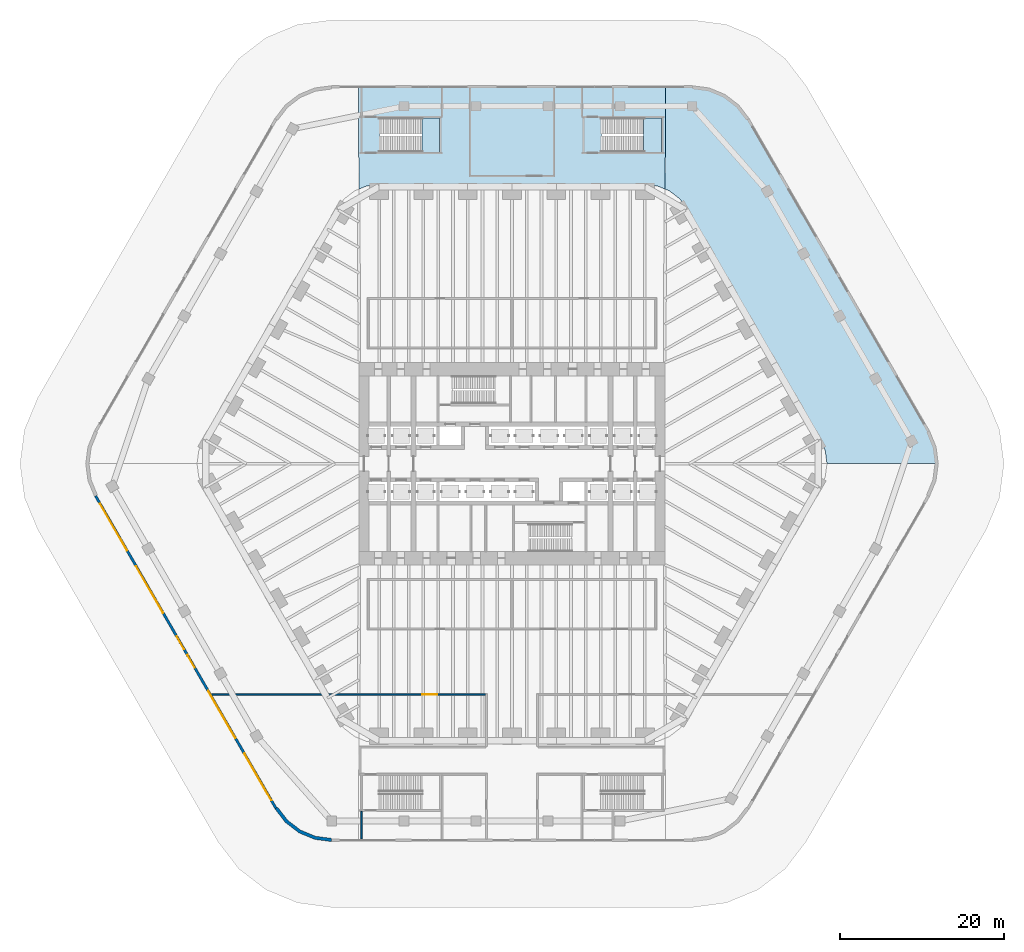
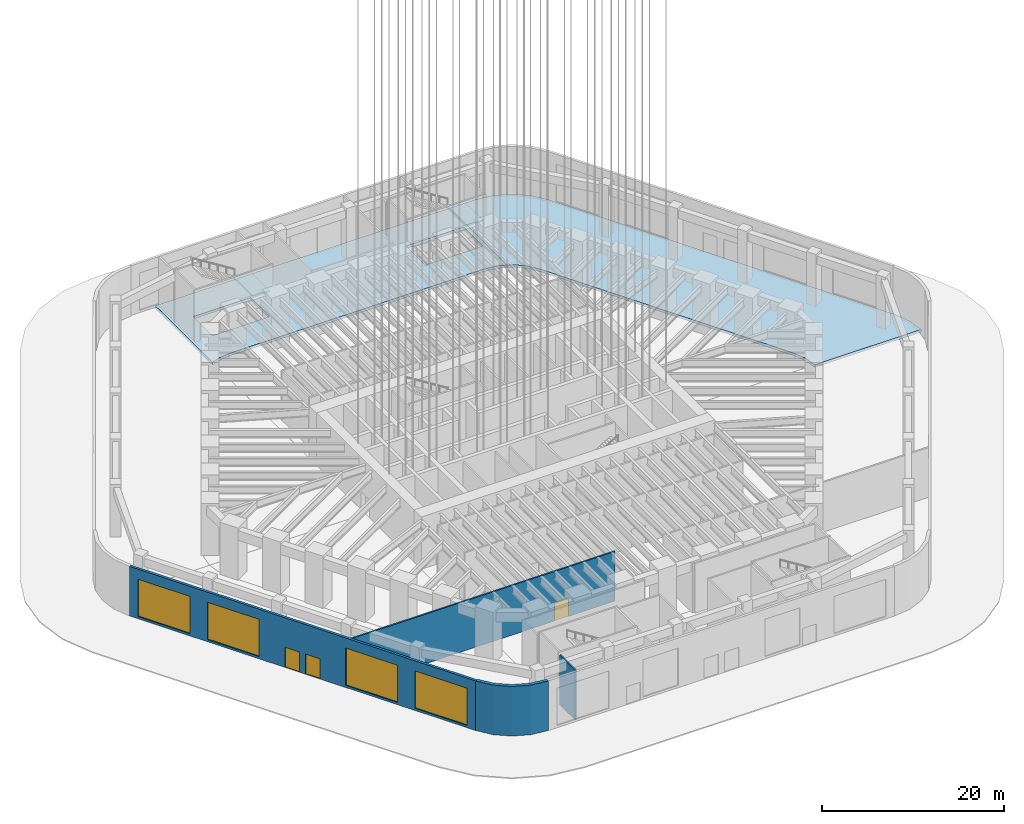
# One storey, part 4 of 23: 4 slabs, 4 walls, 4 windows, 3 doors, 7 openings, 2 elements without a shape of their own.
"""IFC4 building model written with IfcOpenShell, lengths in metres."""

from ifc_helpers import new_model, si_unit, direction, frame, frame_2d, origin, place, context, subcontext, project, spatial, polyline, rectangle, outline, extrude, material, layer, layer_set, type_object, element, fill, aggregate, save


model = new_model("IFC4")

# Units and contexts
model_context = context("Model", 3, precision=1e-05, world=origin(), true_north=direction((0.0, 1.0)))
body_context = subcontext(model_context, "Body", "Model", "MODEL_VIEW")
ifc_project = project(units=[si_unit("LENGTHUNIT", "METRE"), si_unit("AREAUNIT", "SQUARE_METRE"), si_unit("VOLUMEUNIT", "CUBIC_METRE"), si_unit("PLANEANGLEUNIT", "RADIAN"), si_unit("MASSUNIT", "GRAM", prefix="KILO")], contexts=[model_context])

# Site, building, storey
site_placement = place(None, origin())
site = spatial("IfcSite", under=ifc_project, at=site_placement, CompositionType="ELEMENT")
building_placement = place(site_placement, origin())
building = spatial("IfcBuilding", under=site, at=building_placement, Name="Tarfa Lantern Tower", CompositionType="ELEMENT")
storey_placement = place(building_placement, origin())
storey = spatial("IfcBuildingStorey", under=building, at=storey_placement, Name="L00", CompositionType="ELEMENT", Elevation=0.0)

# Slabs
ifc_material_1 = material(Name="Concrete C40/50", Category="concrete")
ifc_layer_1 = layer(ifc_material_1, 0.35009765625)
ifc_layer_set_1 = layer_set([ifc_layer_1], Name="FS3 FLOOR SLAB 350")
slab_type_1 = type_object("IfcSlabType", Name="FS3 FLOOR SLAB 350", PredefinedType="FLOOR", material=ifc_layer_set_1)
slab_1_placement = place(storey_placement, frame((0.0, 0.0, -0.35009765625)))
element("IfcSlab", 1, at=slab_1_placement, inside=storey, type_object=slab_type_1, Name="Floor slab L00 podium-NE bay", PredefinedType="FLOOR", context=body_context, shape_type="SweptSolid", body=[
    extrude(outline(polyline([(50.804931640625, 3.9990234375), (28.865966796875, 41.998779296875), (27.5947265625, 43.655517578125), (25.938232421875, 44.926513671875), (24.00927734375, 45.725341796875), (21.939208984375, 45.998046875), (18.673828125, 45.998046875), (18.64697265625, 33.4130859375), (19.166748046875, 33.197998046875), (20.409912109375, 32.244140625), (21.363525390625, 31.001220703125), (37.529541015625, 3.0009765625), (38.129150390625, 1.553466796875), (38.333251953125, 0.001953125), (51.876220703125, 0.001953125), (51.60400390625, 2.070068359375), (50.804931640625, 3.9990234375)])), origin(), (0.0, 0.0, 1.0), 0.35009765625),
])
slab_2_placement = place(storey_placement, frame((0.0, 0.0, -0.35009765625)))
element("IfcSlab", 2, at=slab_2_placement, inside=storey, type_object=slab_type_1, Name="Floor slab L00 podium-N bay", PredefinedType="FLOOR", context=body_context, shape_type="SweptSolid", body=[
    extrude(outline(polyline([(-18.64306640625, 33.414794921875), (-17.71923828125, 33.797607421875), (-16.166015625, 34.001953125), (16.166015625, 34.001953125), (17.71923828125, 33.797607421875), (18.64306640625, 33.414794921875), (18.669921875, 45.998046875), (-18.669921875, 45.998046875), (-18.64306640625, 33.414794921875)]), holes=[polyline([(10.89990234375, 37.89990234375), (18.199951171875, 37.89990234375), (18.199951171875, 42.10009765625), (10.89990234375, 42.10009765625), (10.89990234375, 37.89990234375)]), polyline([(-16.10009765625, 37.89990234375), (-8.800048828125, 37.89990234375), (-8.800048828125, 42.10009765625), (-16.10009765625, 42.10009765625), (-16.10009765625, 37.89990234375)])]), origin(), (0.0, 0.0, 1.0), 0.35009765625),
])

# Stair, slab
stair_type = type_object("IfcStairType", Name="ST-T4 HALF-TURN STAIR 7000 RISE", PredefinedType="HALF_TURN_STAIR", material=ifc_material_1)
stair_1_placement = place(storey_placement, origin())
stair_1 = element("IfcStair", 3, at=stair_1_placement, inside=storey, type_object=stair_type, Name="Stair ST3", PredefinedType="HALF_TURN_STAIR")
ifc_layer_2 = layer(ifc_material_1, 0.199951171875)
ifc_layer_set_2 = layer_set([ifc_layer_2], Name="SL1 STAIR LANDING 200")
slab_type_2 = type_object("IfcSlabType", Name="SL1 STAIR LANDING 200", PredefinedType="LANDING", material=ifc_layer_set_2)
slab_3_placement = place(storey_placement, frame((0.0, 0.0, 3.300048828125)))
slab_3 = element("IfcSlab", 4, at=slab_3_placement, type_object=slab_type_2, Name="ST3 landing 1", PredefinedType="LANDING", context=body_context, shape_type="SweptSolid", body=[
    extrude(outline(polyline([(16.02001953125, 37.89990234375), (18.199951171875, 37.89990234375), (18.199951171875, 42.10009765625), (16.02001953125, 42.10009765625), (16.02001953125, 37.89990234375)])), origin(), (0.0, 0.0, 1.0), 0.199951171875),
])
aggregate(stair_1, [slab_3])

stair_2_placement = place(storey_placement, origin())
stair_2 = element("IfcStair", 5, at=stair_2_placement, inside=storey, type_object=stair_type, Name="Stair ST4", PredefinedType="HALF_TURN_STAIR")
slab_4_placement = place(storey_placement, frame((0.0, 0.0, 3.300048828125)))
slab_4 = element("IfcSlab", 6, at=slab_4_placement, type_object=slab_type_2, Name="ST4 landing 1", PredefinedType="LANDING", context=body_context, shape_type="SweptSolid", body=[
    extrude(outline(polyline([(-10.97998046875, 37.89990234375), (-8.800048828125, 37.89990234375), (-8.800048828125, 42.10009765625), (-10.97998046875, 42.10009765625), (-10.97998046875, 37.89990234375)])), origin(), (0.0, 0.0, 1.0), 0.199951171875),
])
aggregate(stair_2, [slab_4])

# Wall, openings, doors, windows
ifc_material_2 = material(Name="Limestone cladding on blockwork", Category="masonry")
ifc_layer_3 = layer(ifc_material_2, 0.300048828125)
ifc_layer_set_3 = layer_set([ifc_layer_3], Name="EW1 STONE-CLAD WALL 300")
wall_type_1 = type_object("IfcWallType", Name="EW1 STONE-CLAD WALL 300", PredefinedType="SOLIDWALL", material=ifc_layer_set_3)
wall_1_placement = place(storey_placement, frame((-50.677001953125, -3.925048828125, 0.0), z_axis=(0.0, 0.0, 1.0), x_axis=(0.500002442456, -0.866023993627, 0.0)))
wall_1 = element("IfcWall", 7, at=wall_1_placement, inside=storey, type_object=wall_type_1, Name="Podium wall SW", PredefinedType="SOLIDWALL", context=body_context, shape_type="SweptSolid", body=[
    extrude(rectangle(XDim=43.878662109375, YDim=0.300048828125, at=frame_2d((21.939453125, 0.0))), origin(), (0.0, 0.0, 1.0), 6.64990234375),
])
opening_1_placement = place(wall_1_placement, frame((1.099853515625, 0.0, 0.300048828125)))
opening_1 = element("IfcOpeningElement", 8, at=opening_1_placement, cuts=wall_1, Name="Opening W1", PredefinedType="OPENING", context=body_context, shape_type="SweptSolid", body=[
    extrude(rectangle(XDim=6.575927734375, YDim=5.0, at=frame_2d((3.2880859375, 2.5))), frame((0.0, 0.159912109375, 0.0), z_axis=(0.0, -1.0, 0.0), x_axis=(1.0, 0.0, 0.0)), (0.0, 0.0, 1.0), 0.320068359375),
])
opening_2_placement = place(wall_1_placement, frame((9.87548828125, 0.0, 0.300048828125)))
opening_2 = element("IfcOpeningElement", 9, at=opening_2_placement, cuts=wall_1, Name="Opening W1", PredefinedType="OPENING", context=body_context, shape_type="SweptSolid", body=[
    extrude(rectangle(XDim=6.575927734375, YDim=5.0, at=frame_2d((3.2880859375, 2.5))), frame((0.0, 0.159912109375, 0.0), z_axis=(0.0, -1.0, 0.0), x_axis=(1.0, 0.0, 0.0)), (0.0, 0.0, 1.0), 0.320068359375),
])
opening_3_placement = place(wall_1_placement, frame((19.7392578125, 0.0, 0.0)))
opening_3 = element("IfcOpeningElement", 10, at=opening_3_placement, cuts=wall_1, Name="Opening D52", PredefinedType="OPENING", context=body_context, shape_type="SweptSolid", body=[
    extrude(rectangle(XDim=1.800048828125, YDim=2.699951171875, at=frame_2d((0.89990234375, 1.35009765625))), frame((0.0, 0.159912109375, 0.0), z_axis=(0.0, -1.0, 0.0), x_axis=(1.0, 0.0, 0.0)), (0.0, 0.0, 1.0), 0.320068359375),
])
opening_4_placement = place(wall_1_placement, frame((22.33935546875, 0.0, 0.0)))
opening_4 = element("IfcOpeningElement", 11, at=opening_4_placement, cuts=wall_1, Name="Opening D53", PredefinedType="OPENING", context=body_context, shape_type="SweptSolid", body=[
    extrude(rectangle(XDim=1.800048828125, YDim=2.699951171875, at=frame_2d((0.89990234375, 1.35009765625))), frame((0.0, 0.159912109375, 0.0), z_axis=(0.0, -1.0, 0.0), x_axis=(1.0, 0.0, 0.0)), (0.0, 0.0, 1.0), 0.320068359375),
])
opening_5_placement = place(wall_1_placement, frame((27.427001953125, 0.0, 0.300048828125)))
opening_5 = element("IfcOpeningElement", 12, at=opening_5_placement, cuts=wall_1, Name="Opening W1", PredefinedType="OPENING", context=body_context, shape_type="SweptSolid", body=[
    extrude(rectangle(XDim=6.575927734375, YDim=5.0, at=frame_2d((3.2880859375, 2.5))), frame((0.0, 0.159912109375, 0.0), z_axis=(0.0, -1.0, 0.0), x_axis=(1.0, 0.0, 0.0)), (0.0, 0.0, 1.0), 0.320068359375),
])
opening_6_placement = place(wall_1_placement, frame((36.20263671875, 0.0, 0.300048828125)))
opening_6 = element("IfcOpeningElement", 13, at=opening_6_placement, cuts=wall_1, Name="Opening W1", PredefinedType="OPENING", context=body_context, shape_type="SweptSolid", body=[
    extrude(rectangle(XDim=6.575927734375, YDim=5.0, at=frame_2d((3.2880859375, 2.5))), frame((0.0, 0.159912109375, 0.0), z_axis=(0.0, -1.0, 0.0), x_axis=(1.0, 0.0, 0.0)), (0.0, 0.0, 1.0), 0.320068359375),
])
ifc_material_3 = material(Name="Aluminium framed glazed door", Category="aluminium")
door_type_1 = type_object("IfcDoorType", Name="EE1 ENTRANCE DOOR 1800x2700", OperationType="DOUBLE_DOOR_SINGLE_SWING", PredefinedType="DOOR", material=ifc_material_3)
door_1_placement = place(opening_3_placement, origin())
door_1 = element("IfcDoor", 14, at=door_1_placement, inside=storey, type_object=door_type_1, Name="Concourse door SW 1", OperationType="DOUBLE_DOOR_SINGLE_SWING", OverallHeight=2.699951171875, OverallWidth=1.800048828125, PredefinedType="DOOR", context=body_context, shape_type="SweptSolid", body=[
    extrude(rectangle(XDim=1.800048828125, YDim=2.699951171875, at=frame_2d((0.89990234375, 1.35009765625))), frame((0.0, 0.02490234375, 0.0), z_axis=(0.0, -1.0, 0.0), x_axis=(1.0, 0.0, 0.0)), (0.0, 0.0, 1.0), 0.050048828125),
])
fill(opening_3, door_1)
door_2_placement = place(opening_4_placement, origin())
door_2 = element("IfcDoor", 15, at=door_2_placement, inside=storey, type_object=door_type_1, Name="Concourse door SW 2", OperationType="DOUBLE_DOOR_SINGLE_SWING", OverallHeight=2.699951171875, OverallWidth=1.800048828125, PredefinedType="DOOR", context=body_context, shape_type="SweptSolid", body=[
    extrude(rectangle(XDim=1.800048828125, YDim=2.699951171875, at=frame_2d((0.89990234375, 1.35009765625))), frame((0.0, 0.02490234375, 0.0), z_axis=(0.0, -1.0, 0.0), x_axis=(1.0, 0.0, 0.0)), (0.0, 0.0, 1.0), 0.050048828125),
])
fill(opening_4, door_2)
ifc_material_4 = material(Name="Aluminium frame, double glazed", Category="aluminium")
window_type = type_object("IfcWindowType", Name="W1 SHOPFRONT GLAZING 6576x5000", PartitioningType="SINGLE_PANEL", PredefinedType="WINDOW", material=ifc_material_4)
window_1_placement = place(opening_1_placement, origin())
window_1 = element("IfcWindow", 16, at=window_1_placement, inside=storey, type_object=window_type, Name="Shopfront SW 1", OverallHeight=5.0, OverallWidth=6.575927734375, PartitioningType="SINGLE_PANEL", PredefinedType="WINDOW", context=body_context, shape_type="SweptSolid", body=[
    extrude(rectangle(XDim=6.575927734375, YDim=5.0, at=frame_2d((3.2880859375, 2.5))), frame((0.0, 0.030029296875, 0.0), z_axis=(0.0, -1.0, 0.0), x_axis=(1.0, 0.0, 0.0)), (0.0, 0.0, 1.0), 0.06005859375),
])
fill(opening_1, window_1)
window_2_placement = place(opening_2_placement, origin())
window_2 = element("IfcWindow", 17, at=window_2_placement, inside=storey, type_object=window_type, Name="Shopfront SW 2", OverallHeight=5.0, OverallWidth=6.575927734375, PartitioningType="SINGLE_PANEL", PredefinedType="WINDOW", context=body_context, shape_type="SweptSolid", body=[
    extrude(rectangle(XDim=6.575927734375, YDim=5.0, at=frame_2d((3.2880859375, 2.5))), frame((0.0, 0.030029296875, 0.0), z_axis=(0.0, -1.0, 0.0), x_axis=(1.0, 0.0, 0.0)), (0.0, 0.0, 1.0), 0.06005859375),
])
fill(opening_2, window_2)
window_3_placement = place(opening_5_placement, origin())
window_3 = element("IfcWindow", 18, at=window_3_placement, inside=storey, type_object=window_type, Name="Shopfront SW 4", OverallHeight=5.0, OverallWidth=6.575927734375, PartitioningType="SINGLE_PANEL", PredefinedType="WINDOW", context=body_context, shape_type="SweptSolid", body=[
    extrude(rectangle(XDim=6.575927734375, YDim=5.0, at=frame_2d((3.2880859375, 2.5))), frame((0.0, 0.030029296875, 0.0), z_axis=(0.0, -1.0, 0.0), x_axis=(1.0, 0.0, 0.0)), (0.0, 0.0, 1.0), 0.06005859375),
])
fill(opening_5, window_3)
window_4_placement = place(opening_6_placement, origin())
window_4 = element("IfcWindow", 19, at=window_4_placement, inside=storey, type_object=window_type, Name="Shopfront SW 5", OverallHeight=5.0, OverallWidth=6.575927734375, PartitioningType="SINGLE_PANEL", PredefinedType="WINDOW", context=body_context, shape_type="SweptSolid", body=[
    extrude(rectangle(XDim=6.575927734375, YDim=5.0, at=frame_2d((3.2880859375, 2.5))), frame((0.0, 0.030029296875, 0.0), z_axis=(0.0, -1.0, 0.0), x_axis=(1.0, 0.0, 0.0)), (0.0, 0.0, 1.0), 0.06005859375),
])
fill(opening_6, window_4)

# Walls
ifc_layer_4 = layer(ifc_material_2, 0.39990234375)
ifc_layer_set_4 = layer_set([ifc_layer_4], Name="EW2 CURVED STONE CORNER 400")
wall_type_2 = type_object("IfcWallType", Name="EW2 CURVED STONE CORNER 400", PredefinedType="SOLIDWALL", material=ifc_layer_set_4)
wall_2_placement = place(storey_placement, origin())
element("IfcWall", 20, at=wall_2_placement, inside=storey, type_object=wall_type_2, Name="Stone corner SW-S", PredefinedType="SOLIDWALL", context=body_context, shape_type="SweptSolid", body=[
    extrude(outline(polyline([(-28.867431640625, -42.0), (-27.59619140625, -43.65673828125), (-25.939208984375, -44.92822265625), (-24.009765625, -45.727294921875), (-21.939208984375, -46.0), (-21.939208984375, -45.60009765625), (-23.90625, -45.341064453125), (-25.7392578125, -44.581787109375), (-27.313232421875, -43.3740234375), (-28.52099609375, -41.800048828125), (-28.867431640625, -42.0)])), origin(), (0.0, 0.0, 1.0), 6.64990234375),
])
ifc_material_5 = material(Name="Concrete blockwork", Category="masonry")
ifc_layer_5 = layer(ifc_material_5, 0.199951171875)
ifc_layer_set_5 = layer_set([ifc_layer_5], Name="IW1 BLOCKWORK PARTITION 200 EI 120")
wall_type_3 = type_object("IfcWallType", Name="IW1 BLOCKWORK PARTITION 200 EI 120", PredefinedType="PARTITIONING", material=ifc_layer_set_5)
wall_3_placement = place(storey_placement, frame((-18.300048828125, -45.699951171875, 0.0), z_axis=(0.0, 0.0, 1.0), x_axis=(0.0, 1.0, 0.0)))
element("IfcWall", 21, at=wall_3_placement, inside=storey, type_object=wall_type_3, Name="Fire-rated partition", PredefinedType="PARTITIONING", context=body_context, shape_type="SweptSolid", body=[
    extrude(rectangle(XDim=3.39990234375, YDim=0.199951171875, at=frame_2d((1.699951171875, 0.0))), origin(), (0.0, 0.0, 1.0), 6.64990234375),
])

# Wall, opening, door
ifc_material_6 = material(Name="Gypsum board on steel studs", Category="steel")
ifc_layer_6 = layer(ifc_material_6, 0.2099609375)
ifc_layer_set_6 = layer_set([ifc_layer_6], Name="IW2 ACOUSTIC PARTITION 200")
wall_type_4 = type_object("IfcWallType", Name="IW2 ACOUSTIC PARTITION 200", PredefinedType="PARTITIONING", material=ifc_layer_set_6)
wall_4_placement = place(storey_placement, frame((-36.54638671875, -28.10009765625, 0.0), z_axis=(0.0, 0.0, 1.0), x_axis=(1.0, 0.0, 0.0)))
wall_4 = element("IfcWall", 22, at=wall_4_placement, inside=storey, type_object=wall_type_4, Name="Partition", PredefinedType="PARTITIONING", context=body_context, shape_type="SweptSolid", body=[
    extrude(rectangle(XDim=33.346435546875, YDim=0.199951171875, at=frame_2d((16.67333984375, 0.0))), origin(), (0.0, 0.0, 1.0), 6.64990234375),
])
opening_7_placement = place(wall_4_placement, frame((25.646240234375, 0.0, 0.0)))
opening_7 = element("IfcOpeningElement", 23, at=opening_7_placement, cuts=wall_4, Name="Opening D36", PredefinedType="OPENING", context=body_context, shape_type="SweptSolid", body=[
    extrude(rectangle(XDim=1.800048828125, YDim=2.39990234375, at=frame_2d((0.89990234375, 1.199951171875))), frame((0.0, 0.10986328125, 0.0), z_axis=(0.0, -1.0, 0.0), x_axis=(1.0, 0.0, 0.0)), (0.0, 0.0, 1.0), 0.219970703125),
])
ifc_material_7 = material(Name="Timber door", Category="wood")
door_type_2 = type_object("IfcDoorType", Name="DR2 ROOM DOOR 1800x2400", OperationType="DOUBLE_DOOR_SINGLE_SWING", PredefinedType="DOOR", material=ifc_material_7)
door_3_placement = place(opening_7_placement, frame((1.800048828125, 0.0, 0.0), z_axis=(0.0, 0.0, 1.0), x_axis=(-1.0, 0.0, 0.0)))
door_3 = element("IfcDoor", 24, at=door_3_placement, inside=storey, type_object=door_type_2, Name="Retail unit door", OperationType="DOUBLE_DOOR_SINGLE_SWING", OverallHeight=2.39990234375, OverallWidth=1.800048828125, PredefinedType="DOOR", context=body_context, shape_type="SweptSolid", body=[
    extrude(rectangle(XDim=1.800048828125, YDim=2.39990234375, at=frame_2d((0.89990234375, 1.199951171875))), frame((0.0, 0.02490234375, 0.0), z_axis=(0.0, -1.0, 0.0), x_axis=(1.0, 0.0, 0.0)), (0.0, 0.0, 1.0), 0.050048828125),
])
fill(opening_7, door_3)

save(model, "model.ifc")
